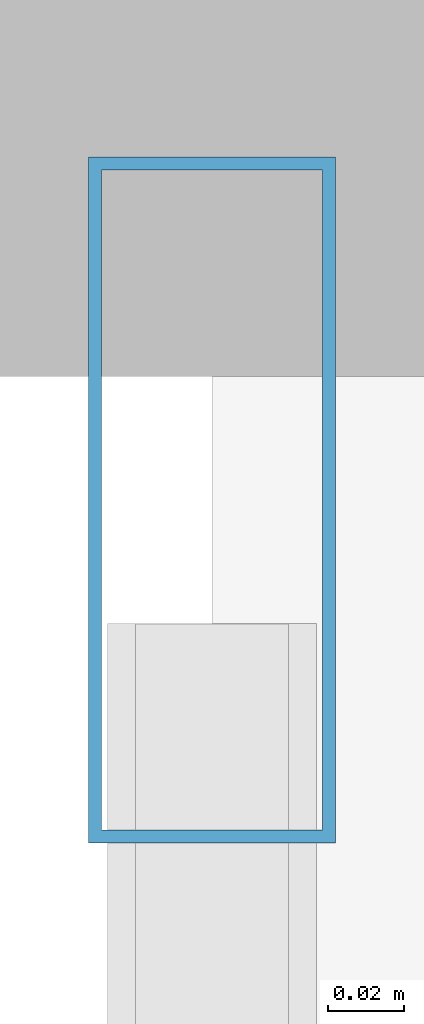
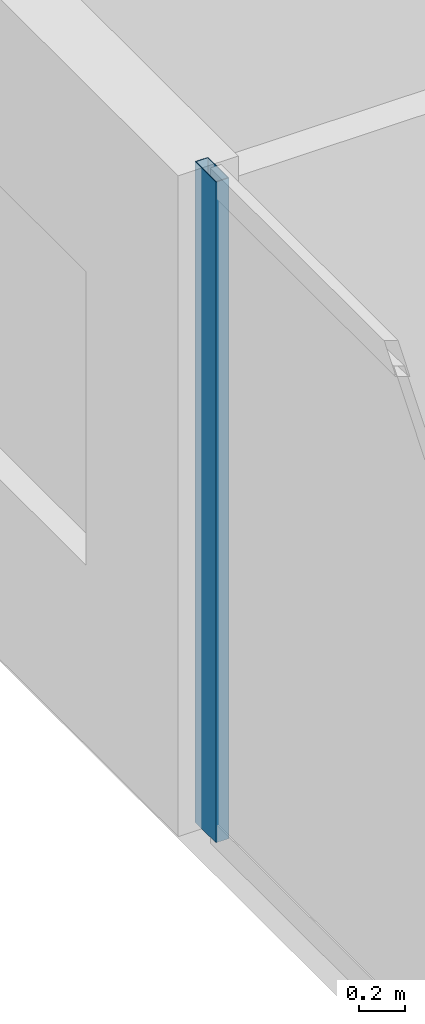
# One storey, part 15 of 33: 1 member, 1 element without a shape of its own.
"""IFC4 building model written with IfcOpenShell, lengths in metres."""

from ifc_helpers import new_model, si_unit, direction, frame, origin, origin_2d, place, context, subcontext, project, spatial, hollow_rectangle, extrude, material, layer, layer_set, material_profile, profile_set, type_object, element, aggregate, save


model = new_model("IFC4")

# Units and contexts
model_context = context("Model", 3, precision=1e-05, world=origin(), true_north=direction((0.0, 1.0)))
body_context = subcontext(model_context, "Body", "Model", "MODEL_VIEW")
ifc_project = project(units=[si_unit("LENGTHUNIT", "METRE"), si_unit("AREAUNIT", "SQUARE_METRE"), si_unit("VOLUMEUNIT", "CUBIC_METRE"), si_unit("PLANEANGLEUNIT", "RADIAN"), si_unit("MASSUNIT", "GRAM", prefix="KILO")], contexts=[model_context])

# Site, building, storey
site_placement = place(None, origin())
site = spatial("IfcSite", under=ifc_project, at=site_placement, CompositionType="ELEMENT")
building_placement = place(site_placement, origin())
building = spatial("IfcBuilding", under=site, at=building_placement, Name="Zuhayl Quay Hotel", CompositionType="ELEMENT")
storey_placement = place(building_placement, frame((0.0, 0.0, 229.89990234375)))
storey = spatial("IfcBuildingStorey", under=building, at=storey_placement, Name="L58", CompositionType="ELEMENT", Elevation=229.89990234375)

# Curtain wall, member
ifc_material_1 = material(Name="Anodised Aluminium 6063-T6", Category="aluminium")
ifc_layer = layer(ifc_material_1, 0.175048828125, Name="Anodised Aluminium 6063-T6", Category="aluminium")
ifc_layer_set = layer_set([ifc_layer], Name="Anodised Aluminium 6063-T6")
curtain_wall_type = type_object("IfcCurtainWallType", Name="CW_SYS_Z3", PredefinedType="USERDEFINED", material=ifc_layer_set)
curtain_wall_placement = place(storey_placement, origin())
curtain_wall = element("IfcCurtainWall", 1, at=curtain_wall_placement, inside=storey, type_object=curtain_wall_type, Name="L58 Curtain Wall ENV_L58_E05_CW1", ObjectType="UNITISED CURTAIN WALL", PredefinedType="USERDEFINED")
ifc_material_2 = material(Name="Black-anodised aluminium 6063-T6", Category="aluminium")
ifc_material_profile = material_profile(ifc_material_2, hollow_rectangle(XDim=0.06494140625, YDim=0.179931640625, WallThickness=0.00341796875, at=origin_2d()), Name="ALU180X65")
ifc_profile_set = profile_set([ifc_material_profile], Name="Black-anodised aluminium 6063-T6")
member_type = type_object("IfcMemberType", Name="MB_CW_MUL_180", PredefinedType="MULLION", material=ifc_profile_set)
member_placement = place(storey_placement, frame((-22.10009765625, 24.517578125, 0.0), z_axis=(0.0, 0.0, 1.0), x_axis=(-1.0, 0.0, 0.0)))
member = element("IfcMember", 2, at=member_placement, type_object=member_type, Name="CW-Z3 mullion 2", PredefinedType="MULLION", context=body_context, shape_type="SweptSolid", body=[
    extrude(hollow_rectangle(XDim=0.06494140625, YDim=0.179931640625, WallThickness=0.00341796875, at=origin_2d()), origin(), (0.0, 0.0, 1.0), 3.489990234375),
])
aggregate(curtain_wall, [member])

save(model, "model.ifc")
